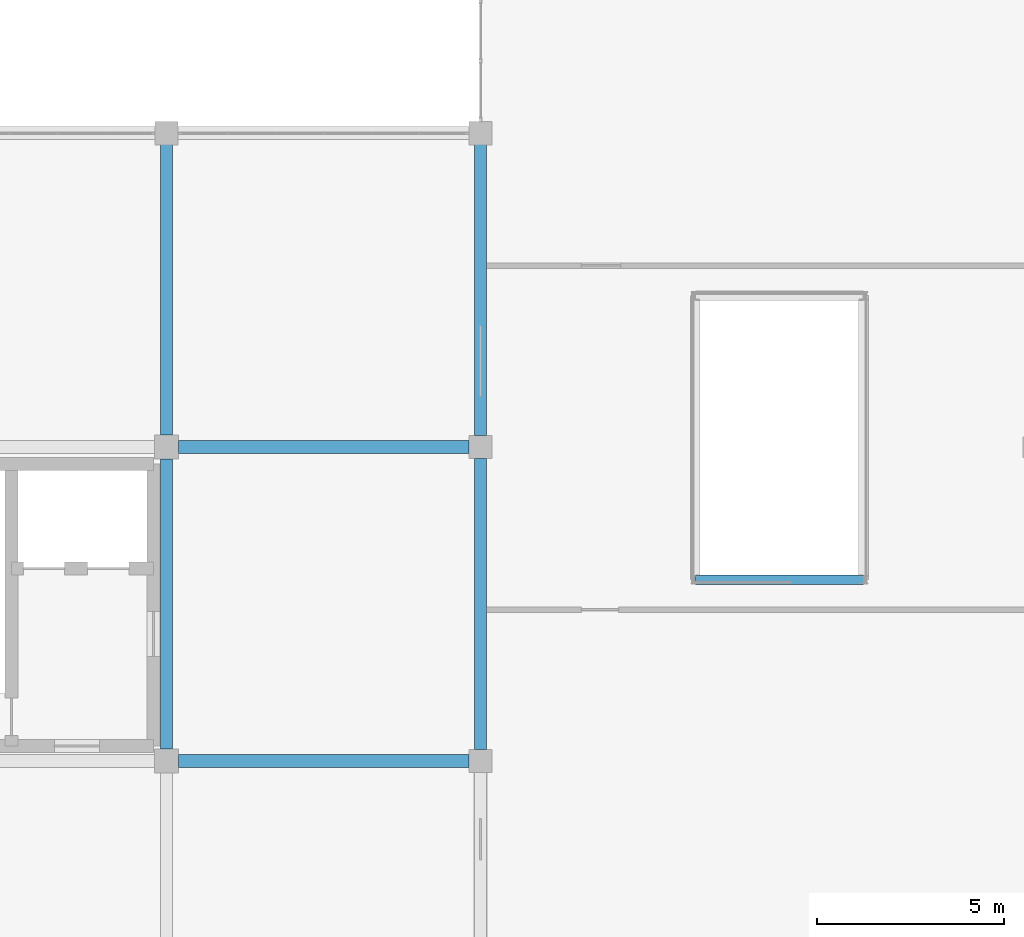
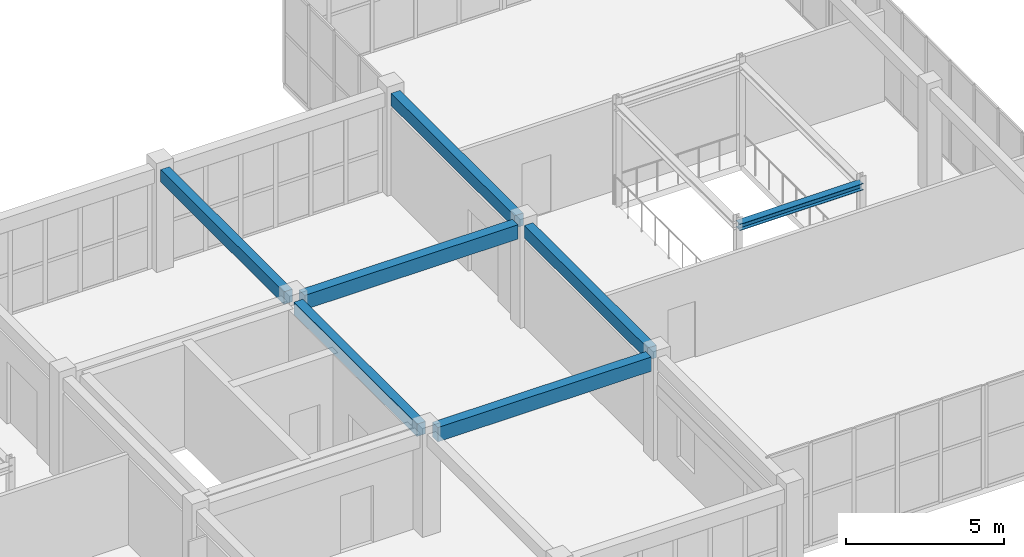
# One storey, part 28 of 81: 7 beams.
"""IFC4 building model written with IfcOpenShell, lengths in metres."""

import ifcopenshell
import ifcopenshell.guid

model = None  # the IFC model being written
_history = None  # IfcOwnerHistory: only IFC2X3 demands one
_inside = {}  # id of a spatial element -> (the spatial element, [elements in it])
_under = {}  # id of a project, library or spatial element -> (it, [spatial elements below it])
_declared = {}  # id of a project -> (the project, [libraries it declares])
_typed = {}  # id of a type object -> (the type object, [elements of that type])
_made_of = {}  # id of a material, layer set ... -> (it, [elements and type objects made of it])


def new_model(schema):
    """Start an empty IFC model of exactly this schema.

    Asked for "IFC4X3", IfcOpenShell would pick the latest addendum, in which some entities
    have other attributes; the version numbers below select the first issue.
    IFC2X3 requires an IfcOwnerHistory on every rooted entity: one is made here for all.
    """
    global model, _history
    if schema == "IFC4X3":
        model = ifcopenshell.file(schema_version=(4, 3, 0, 0))
    else:
        model = ifcopenshell.file(schema=schema)
    _inside.clear()
    _under.clear()
    _declared.clear()
    _typed.clear()
    _made_of.clear()
    _history = None
    if model.schema == "IFC2X3":
        org = make("IfcOrganization", Name="unknown")
        user = make(
            "IfcPersonAndOrganization",
            ThePerson=make("IfcPerson", FamilyName="unknown"),
            TheOrganization=org,
        )
        app = make(
            "IfcApplication",
            ApplicationDeveloper=org,
            Version="unknown",
            ApplicationFullName="unknown",
            ApplicationIdentifier="unknown",
        )
        _history = make(
            "IfcOwnerHistory",
            OwningUser=user,
            OwningApplication=app,
            ChangeAction="ADDED",
            CreationDate=0,
        )
    return model


def make(cls, **values):
    """One entity of the class cls with the attributes given. An attribute that is None is left unset."""
    return model.create_entity(
        cls, **{name: value for name, value in values.items() if value is not None}
    )


def rooted(cls, **values):
    """An entity with a GlobalId (a new one), such as an element, a storey or a relation."""
    return make(cls, GlobalId=ifcopenshell.guid.new(), OwnerHistory=_history, **values)


def si_unit(unit_type, name, prefix=None):
    """IfcSIUnit, for example si_unit("LENGTHUNIT", "METRE", prefix="MILLI")."""
    return make("IfcSIUnit", UnitType=unit_type, Prefix=prefix, Name=name)


def assignment(units):
    """IfcUnitAssignment: the units of a project."""
    return None if units is None else make("IfcUnitAssignment", Units=units)


def point(xyz):
    """IfcCartesianPoint."""
    return None if xyz is None else make("IfcCartesianPoint", Coordinates=xyz)


def direction(xyz):
    """IfcDirection."""
    return None if xyz is None else make("IfcDirection", DirectionRatios=xyz)


def frame(location, z_axis=None, x_axis=None):
    """IfcAxis2Placement3D, a coordinate frame: its origin and axes. An axis left out is left unset."""
    return make(
        "IfcAxis2Placement3D",
        Location=point(location),
        Axis=direction(z_axis),
        RefDirection=direction(x_axis),
    )


def frame_2d(location, x_axis=None):
    """IfcAxis2Placement2D, a coordinate frame in the plane: its origin and x axis."""
    return make(
        "IfcAxis2Placement2D", Location=point(location), RefDirection=direction(x_axis)
    )


def origin():
    """The frame at (0, 0, 0) with its axes left unset."""
    return frame((0.0, 0.0, 0.0))


def origin_2d():
    """The frame at (0, 0) in the plane with its x axis left unset."""
    return frame_2d((0.0, 0.0))


def place(relative_to, where):
    """IfcLocalPlacement: puts the frame where relative to a parent placement (None: the world)."""
    return make(
        "IfcLocalPlacement", PlacementRelTo=relative_to, RelativePlacement=where
    )


def context(
    kind, dimensions, precision=None, world=None, true_north=None, identifier=None
):
    """IfcGeometricRepresentationContext, for example the 3D "Model" context."""
    return make(
        "IfcGeometricRepresentationContext",
        ContextIdentifier=identifier,
        ContextType=kind,
        CoordinateSpaceDimension=dimensions,
        Precision=precision,
        WorldCoordinateSystem=world,
        TrueNorth=true_north,
    )


def subcontext(parent, identifier, kind, view, scale=None):
    """IfcGeometricRepresentationSubContext, for example "Body" below "Model"."""
    return make(
        "IfcGeometricRepresentationSubContext",
        ContextIdentifier=identifier,
        ContextType=kind,
        ParentContext=parent,
        TargetScale=scale,
        TargetView=view,
    )


def project(units=None, contexts=None):
    """IfcProject with its units and contexts."""
    return rooted(
        "IfcProject",
        Name="project",
        RepresentationContexts=contexts,
        UnitsInContext=assignment(units),
    )


def spatial(cls, under=None, at=None, **own):
    """A site, building, storey or space (cls), placed at a placement, below another one or the project."""
    s = rooted(cls, ObjectPlacement=at, **own)
    if under is not None:
        _under.setdefault(under.id(), (under, []))[1].append(s)
    return s


def profile(cls, at=None, kind="AREA", **sizes):
    """A parametric profile (cls). Its sizes go by their IFC names, for example OverallWidth=200.0."""
    return make(cls, ProfileType=kind, Position=at, **sizes)


def rectangle(**sizes):
    """IfcRectangleProfileDef."""
    return profile("IfcRectangleProfileDef", **sizes)


def i_section(**sizes):
    """IfcIShapeProfileDef."""
    return profile("IfcIShapeProfileDef", **sizes)


def extrude(swept, where, along, depth):
    """IfcExtrudedAreaSolid: the profile swept, set in the frame where, extruded along a direction by depth."""
    return make(
        "IfcExtrudedAreaSolid",
        SweptArea=swept,
        Position=where,
        ExtrudedDirection=direction(along),
        Depth=depth,
    )


def shape(context_of_items, identifier, shape_type, items):
    """IfcShapeRepresentation: the items that make up one representation, for example the "Body"."""
    return make(
        "IfcShapeRepresentation",
        ContextOfItems=context_of_items,
        RepresentationIdentifier=identifier,
        RepresentationType=shape_type,
        Items=items,
    )


def material(Name=None, Category=None):
    """IfcMaterial."""
    return make("IfcMaterial", Name=Name, Category=Category)


def material_profile(
    of_material, cross_section, Name=None, Category=None, Priority=None
):
    """IfcMaterialProfile: a cross section and its material."""
    return make(
        "IfcMaterialProfile",
        Name=Name,
        Material=of_material,
        Profile=cross_section,
        Priority=Priority,
        Category=Category,
    )


def profile_set(profiles, Name=None, composite=None):
    """IfcMaterialProfileSet."""
    return make(
        "IfcMaterialProfileSet",
        Name=Name,
        MaterialProfiles=profiles,
        CompositeProfile=composite,
    )


def made_of(thing, what):
    """Note that an element or type object is made of a material, layer set ...; save() writes the relation."""
    if what is not None:
        _made_of.setdefault(what.id(), (what, []))[1].append(thing)
    return thing


def type_object(cls, material=None, **own):
    """A type object (cls), such as IfcWallType, which elements share."""
    return made_of(rooted(cls, **own), material)


def element(
    cls,
    number,
    at=None,
    inside=None,
    cuts=None,
    type_object=None,
    material=None,
    context=None,
    identifier="Body",
    shape_type=None,
    held_by="IfcProductDefinitionShape",
    body=None,
    shapes=None,
    **own,
):
    """One element of the class cls, such as IfcWall. Its Tag is "e" and its number.

    at: its placement. inside: the storey or other place that contains it. cuts: it is an
    opening in that element (IfcRelVoidsElement). A single representation is given by context,
    identifier, shape_type and body (its items); several are given by shapes. held_by: the class
    of the entity that holds the representations. save() writes the other relations.
    """
    e = rooted(cls, Tag="e%d" % number, ObjectPlacement=at, **own)
    if body is not None:
        shapes = [shape(context, identifier, shape_type, body)]
    if shapes is not None:
        e.Representation = make(held_by, Representations=shapes)
    if inside is not None:
        _inside.setdefault(inside.id(), (inside, []))[1].append(e)
    if cuts is not None:
        rooted(
            "IfcRelVoidsElement", RelatingBuildingElement=cuts, RelatedOpeningElement=e
        )
    if type_object is not None:
        _typed.setdefault(type_object.id(), (type_object, []))[1].append(e)
    return made_of(e, material)


def aggregate(whole, parts):
    """IfcRelAggregates: a whole, such as a stair, and the parts it consists of."""
    return rooted("IfcRelAggregates", RelatingObject=whole, RelatedObjects=parts)


def save(model, path):
    """Write the relations noted so far, then the file.

    IfcRelAggregates (storeys below a building ...), IfcRelContainedInSpatialStructure (elements
    in a storey), IfcRelDefinesByType, IfcRelAssociatesMaterial and IfcRelDeclares: one each for
    every whole, place, type object, material and project.
    """
    for whole, parts in _under.values():
        aggregate(whole, parts)
    for where, things in _inside.values():
        rooted(
            "IfcRelContainedInSpatialStructure",
            RelatedElements=things,
            RelatingStructure=where,
        )
    for kind, things in _typed.values():
        rooted("IfcRelDefinesByType", RelatedObjects=things, RelatingType=kind)
    for what, things in _made_of.values():
        rooted("IfcRelAssociatesMaterial", RelatedObjects=things, RelatingMaterial=what)
    for by, libraries in _declared.values():
        rooted("IfcRelDeclares", RelatingContext=by, RelatedDefinitions=libraries)
    model.write(path)


model = new_model("IFC4")

# Units and contexts
model_context = context("Model", 3, precision=1e-05, world=origin(), true_north=direction((0.0, 1.0)))
body_context = subcontext(model_context, "Body", "Model", "MODEL_VIEW")
ifc_project = project(units=[si_unit("LENGTHUNIT", "METRE"), si_unit("AREAUNIT", "SQUARE_METRE"), si_unit("VOLUMEUNIT", "CUBIC_METRE"), si_unit("PLANEANGLEUNIT", "RADIAN"), si_unit("MASSUNIT", "GRAM", prefix="KILO")], contexts=[model_context])

# Site, building, storey
site_placement = place(None, origin())
site = spatial("IfcSite", under=ifc_project, at=site_placement, CompositionType="ELEMENT")
building_placement = place(site_placement, origin())
building = spatial("IfcBuilding", under=site, at=building_placement, Name="Trelvath General Hospital", CompositionType="ELEMENT")
storey_placement = place(building_placement, frame((0.0, 0.0, 24.60009765625)))
storey = spatial("IfcBuildingStorey", under=building, at=storey_placement, Name="L06", CompositionType="ELEMENT", Elevation=24.60009765625)

# Beams
ifc_material_1 = material(Name="Concrete C35/45", Category="concrete")
ifc_material_profile_1 = material_profile(ifc_material_1, rectangle(XDim=0.320068359375, YDim=0.47998046875, at=origin_2d()), Name="RCB320x480")
ifc_profile_set_1 = profile_set([ifc_material_profile_1], Name="Concrete C35/45")
beam_type_1 = type_object("IfcBeamType", Name="Beam RC320x480", PredefinedType="BEAM", material=ifc_profile_set_1)
beam_1_placement = place(storey_placement, frame((84.0, 50.719970703125, 3.679931640625), z_axis=(0.0, 1.0, 0.0), x_axis=(-1.0, 0.0, 0.0)))
element("IfcBeam", 1, at=beam_1_placement, inside=storey, type_object=beam_type_1, Name="Grid Beam BY-610G", PredefinedType="BEAM", context=body_context, shape_type="SweptSolid", body=[
    extrude(rectangle(XDim=0.320068359375, YDim=0.47998046875, at=origin_2d()), origin(), (0.0, 0.0, 1.0), 7.760009765625),
])
beam_2_placement = place(storey_placement, frame((84.0, 59.1201171875, 3.679931640625), z_axis=(0.0, 1.0, 0.0), x_axis=(-1.0, 0.0, 0.0)))
element("IfcBeam", 2, at=beam_2_placement, inside=storey, type_object=beam_type_1, Name="Grid Beam BY-610H", PredefinedType="BEAM", context=body_context, shape_type="SweptSolid", body=[
    extrude(rectangle(XDim=0.320068359375, YDim=0.47998046875, at=origin_2d()), origin(), (0.0, 0.0, 1.0), 7.77490234375),
])
for number, where, z_axis, x_axis, name in (
    (3, (92.39990234375, 50.705078125, 3.679931640625), (0.0, 1.0, 0.0), (-1.0, 0.0, 0.0), "Grid Beam BY-611G"),
    (4, (92.39990234375, 59.10498046875, 3.679931640625), (0.0, 1.0, 0.0), (-1.0, 0.0, 0.0), "Grid Beam BY-611H"),
):
    element("IfcBeam", number, at=place(storey_placement, frame(where, z_axis=z_axis, x_axis=x_axis)), inside=storey, type_object=beam_type_1, Name=name, PredefinedType="BEAM", context=body_context, shape_type="SweptSolid", body=[
        extrude(rectangle(XDim=0.320068359375, YDim=0.47998046875, at=origin_2d()), origin(), (0.0, 0.0, 1.0), 7.7900390625),
    ])
ifc_material_2 = material(Name="Concrete C35/45", Category="concrete")
ifc_material_profile_2 = material_profile(ifc_material_2, rectangle(XDim=0.35009765625, YDim=0.550048828125, at=origin_2d()), Name="RCB350x550")
ifc_profile_set_2 = profile_set([ifc_material_profile_2], Name="Concrete C35/45")
beam_type_2 = type_object("IfcBeamType", Name="Beam RC350x550", PredefinedType="BEAM", material=ifc_profile_set_2)
for number, where, z_axis, x_axis, name in (
    (5, (84.320068359375, 50.39990234375, 3.64501953125), (1.0, 0.0, 0.0), (0.0, 1.0, 0.0), "Grid Beam BX-610G"),
    (6, (84.320068359375, 58.800048828125, 3.64501953125), (1.0, 0.0, 0.0), (0.0, 1.0, 0.0), "Grid Beam BX-610H"),
):
    element("IfcBeam", number, at=place(storey_placement, frame(where, z_axis=z_axis, x_axis=x_axis)), inside=storey, type_object=beam_type_2, Name=name, PredefinedType="BEAM", context=body_context, shape_type="SweptSolid", body=[
        extrude(rectangle(XDim=0.35009765625, YDim=0.550048828125, at=origin_2d()), origin(), (0.0, 0.0, 1.0), 7.77490234375),
    ])
ifc_material_3 = material(Name="Steel S355", Category="steel")
ifc_material_profile_3 = material_profile(ifc_material_3, i_section(OverallWidth=0.260009765625, OverallDepth=0.25, WebThickness=0.007568359375, FlangeThickness=0.012451171875, at=origin_2d()), Name="HEA260")
ifc_profile_set_3 = profile_set([ifc_material_profile_3], Name="Steel S355")
beam_type_3 = type_object("IfcBeamType", Name="RingBeam HEA260", PredefinedType="BEAM", material=ifc_profile_set_3)
beam_3_placement = place(storey_placement, frame((98.14990234375, 55.25, 3.81494140625), z_axis=(1.0, 0.0, 0.0), x_axis=(0.0, 1.0, 0.0)))
element("IfcBeam", 7, at=beam_3_placement, inside=storey, type_object=beam_type_3, Name="Atrium Ring Beam CUBE-E S L06", PredefinedType="BEAM", context=body_context, shape_type="SweptSolid", body=[
    extrude(i_section(OverallWidth=0.260009765625, OverallDepth=0.25, WebThickness=0.007568359375, FlangeThickness=0.012451171875, at=origin_2d()), origin(), (0.0, 0.0, 1.0), 4.5),
])

save(model, "model.ifc")
